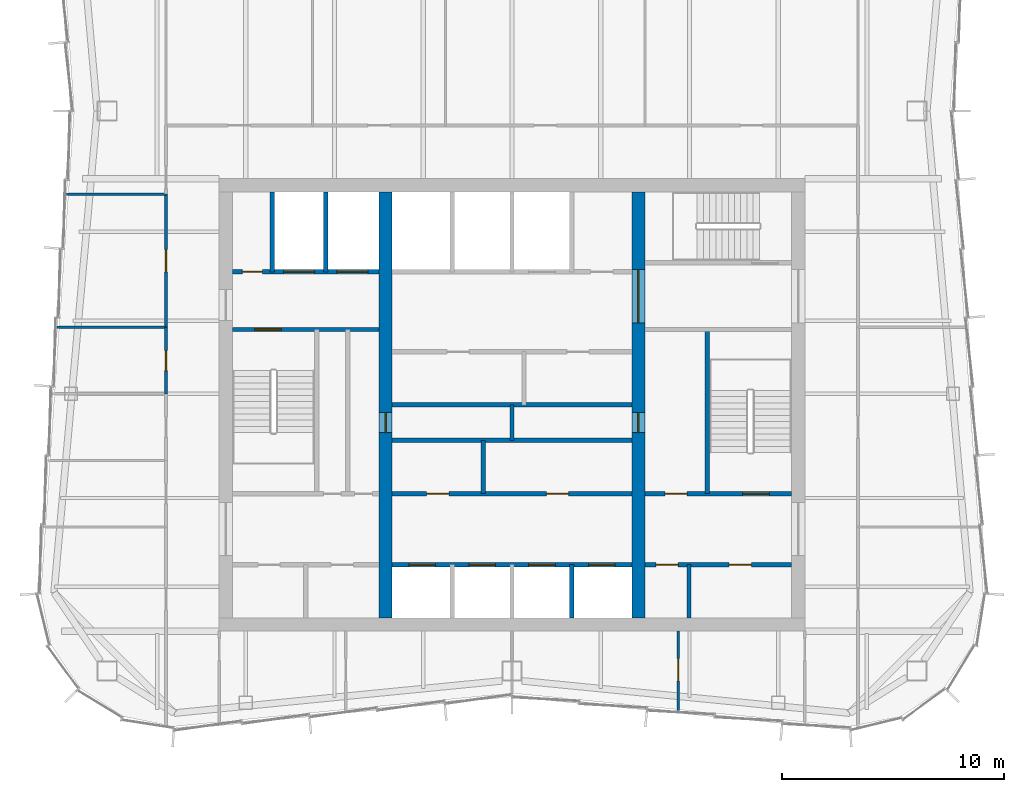
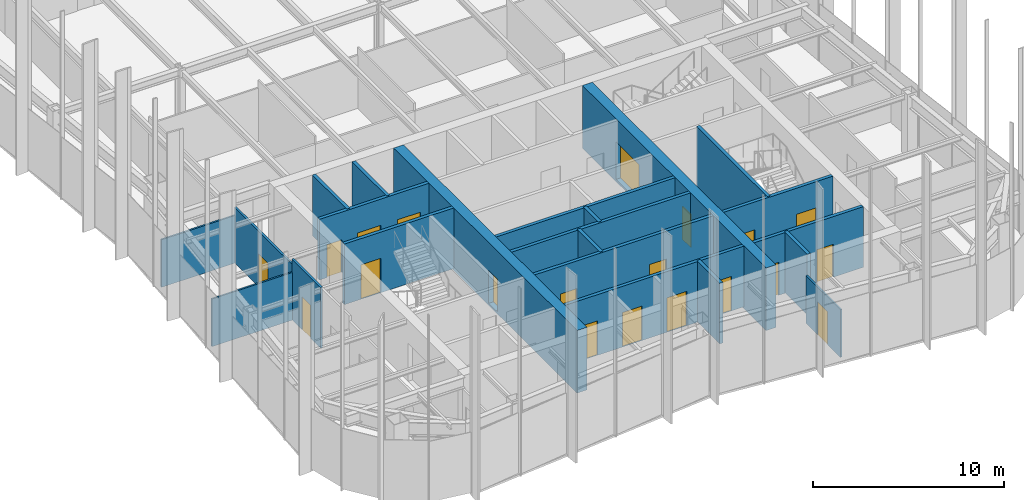
# One storey, part 10 of 13: 22 walls, 20 doors, 20 openings.
"""IFC4 building model written with IfcOpenShell, lengths in metres."""

from ifc_helpers import new_model, si_unit, direction, frame, frame_2d, origin, place, context, subcontext, project, spatial, rectangle, extrude, material, layer, layer_set, type_object, element, fill, save


model = new_model("IFC4")

# Units and contexts
model_context = context("Model", 3, precision=1e-05, world=origin(), true_north=direction((0.0, 1.0)))
body_context = subcontext(model_context, "Body", "Model", "MODEL_VIEW")
ifc_project = project(units=[si_unit("LENGTHUNIT", "METRE"), si_unit("AREAUNIT", "SQUARE_METRE"), si_unit("VOLUMEUNIT", "CUBIC_METRE"), si_unit("PLANEANGLEUNIT", "RADIAN"), si_unit("MASSUNIT", "GRAM", prefix="KILO")], contexts=[model_context])

# Site, building, storey
site_placement = place(None, origin())
site = spatial("IfcSite", under=ifc_project, at=site_placement, CompositionType="ELEMENT")
building_placement = place(site_placement, origin())
building = spatial("IfcBuilding", under=site, at=building_placement, Name="Verdant Reach Tower", CompositionType="ELEMENT")
storey_placement = place(building_placement, frame((0.0, 0.0, 318.0)))
storey = spatial("IfcBuildingStorey", under=building, at=storey_placement, Name="L73", CompositionType="ELEMENT", Elevation=318.0)

# Wall, openings, doors
ifc_material_1 = material(Name="Gypsum board on steel studs", Category="steel")
ifc_layer_1 = layer(ifc_material_1, 0.199951171875)
ifc_layer_set_1 = layer_set([ifc_layer_1], Name="CO-WALL-ROOM")
wall_type_1 = type_object("IfcWallType", Name="CO-WALL-ROOM", PredefinedType="PARTITIONING", material=ifc_layer_set_1)
wall_1_placement = place(storey_placement, frame((6.0, 20.800048828125, 0.0), z_axis=(0.0, 0.0, 1.0), x_axis=(1.0, 0.0, 0.0)))
wall_1 = element("IfcWall", 1, at=wall_1_placement, inside=storey, type_object=wall_type_1, Name="Core partition, L73", PredefinedType="PARTITIONING", context=body_context, shape_type="SweptSolid", body=[
    extrude(rectangle(XDim=6.60009765625, YDim=0.199951171875, at=frame_2d((3.300048828125, 0.0))), origin(), (0.0, 0.0, 1.0), 3.8701171875),
])
opening_1_placement = place(wall_1_placement, frame((0.489990234375, 0.0, 0.0)))
opening_1 = element("IfcOpeningElement", 2, at=opening_1_placement, cuts=wall_1, Name="Opening CD", PredefinedType="OPENING", context=body_context, shape_type="SweptSolid", body=[
    extrude(rectangle(XDim=1.0, YDim=2.10009765625, at=frame_2d((0.5, 1.050048828125))), frame((0.0, 0.10986328125, 0.0), z_axis=(0.0, -1.0, 0.0), x_axis=(1.0, 0.0, 0.0)), (0.0, 0.0, 1.0), 0.219970703125),
])
opening_2_placement = place(wall_1_placement, frame((3.7900390625, 0.0, 0.0)))
opening_2 = element("IfcOpeningElement", 3, at=opening_2_placement, cuts=wall_1, Name="Opening CD", PredefinedType="OPENING", context=body_context, shape_type="SweptSolid", body=[
    extrude(rectangle(XDim=1.0, YDim=2.10009765625, at=frame_2d((0.5, 1.050048828125))), frame((0.0, 0.10986328125, 0.0), z_axis=(0.0, -1.0, 0.0), x_axis=(1.0, 0.0, 0.0)), (0.0, 0.0, 1.0), 0.219970703125),
])
ifc_material_2 = material(Name="Timber", Category="wood")
door_type_1 = type_object("IfcDoorType", Name="CO-DOOR-ROOM", OperationType="NOTDEFINED", PredefinedType="DOOR", material=ifc_material_2)
door_1_placement = place(opening_1_placement, origin())
door_1 = element("IfcDoor", 4, at=door_1_placement, inside=storey, type_object=door_type_1, Name="Core room door, L73", OperationType="SINGLE_SWING_RIGHT", OverallHeight=2.10009765625, OverallWidth=1.0, PredefinedType="DOOR", context=body_context, shape_type="SweptSolid", body=[
    extrude(rectangle(XDim=1.0, YDim=2.10009765625, at=frame_2d((0.5, 1.050048828125))), frame((0.0, 0.02490234375, 0.0), z_axis=(0.0, -1.0, 0.0), x_axis=(1.0, 0.0, 0.0)), (0.0, 0.0, 1.0), 0.050048828125),
])
fill(opening_1, door_1)
door_2_placement = place(opening_2_placement, origin())
door_2 = element("IfcDoor", 5, at=door_2_placement, inside=storey, type_object=door_type_1, Name="Core room door, L73", OperationType="SINGLE_SWING_RIGHT", OverallHeight=2.10009765625, OverallWidth=1.0, PredefinedType="DOOR", context=body_context, shape_type="SweptSolid", body=[
    extrude(rectangle(XDim=1.0, YDim=2.10009765625, at=frame_2d((0.5, 1.050048828125))), frame((0.0, 0.02490234375, 0.0), z_axis=(0.0, -1.0, 0.0), x_axis=(1.0, 0.0, 0.0)), (0.0, 0.0, 1.0), 0.050048828125),
])
fill(opening_2, door_2)

wall_2_placement = place(storey_placement, frame((-5.39990234375, 24.0, 0.0), z_axis=(0.0, 0.0, 1.0), x_axis=(1.0, 0.0, 0.0)))
wall_2 = element("IfcWall", 6, at=wall_2_placement, inside=storey, type_object=wall_type_1, Name="Core partition, L73", PredefinedType="PARTITIONING", context=body_context, shape_type="SweptSolid", body=[
    extrude(rectangle(XDim=10.7998046875, YDim=0.199951171875, at=frame_2d((5.39990234375, 0.0))), origin(), (0.0, 0.0, 1.0), 3.8701171875),
])
opening_3_placement = place(wall_2_placement, frame((1.552001953125, 0.0, 0.0)))
opening_3 = element("IfcOpeningElement", 7, at=opening_3_placement, cuts=wall_2, Name="Opening CD", PredefinedType="OPENING", context=body_context, shape_type="SweptSolid", body=[
    extrude(rectangle(XDim=1.0, YDim=2.10009765625, at=frame_2d((0.5, 1.050048828125))), frame((0.0, 0.10986328125, 0.0), z_axis=(0.0, -1.0, 0.0), x_axis=(1.0, 0.0, 0.0)), (0.0, 0.0, 1.0), 0.219970703125),
])
opening_4_placement = place(wall_2_placement, frame((6.951904296875, 0.0, 0.0)))
opening_4 = element("IfcOpeningElement", 8, at=opening_4_placement, cuts=wall_2, Name="Opening CD", PredefinedType="OPENING", context=body_context, shape_type="SweptSolid", body=[
    extrude(rectangle(XDim=1.0, YDim=2.10009765625, at=frame_2d((0.5, 1.050048828125))), frame((0.0, 0.10986328125, 0.0), z_axis=(0.0, -1.0, 0.0), x_axis=(1.0, 0.0, 0.0)), (0.0, 0.0, 1.0), 0.219970703125),
])
door_3_placement = place(opening_3_placement, origin())
door_3 = element("IfcDoor", 9, at=door_3_placement, inside=storey, type_object=door_type_1, Name="Core room door, L73", OperationType="SINGLE_SWING_LEFT", OverallHeight=2.10009765625, OverallWidth=1.0, PredefinedType="DOOR", context=body_context, shape_type="SweptSolid", body=[
    extrude(rectangle(XDim=1.0, YDim=2.10009765625, at=frame_2d((0.5, 1.050048828125))), frame((0.0, 0.02490234375, 0.0), z_axis=(0.0, -1.0, 0.0), x_axis=(1.0, 0.0, 0.0)), (0.0, 0.0, 1.0), 0.050048828125),
])
fill(opening_3, door_3)
door_4_placement = place(opening_4_placement, origin())
door_4 = element("IfcDoor", 10, at=door_4_placement, inside=storey, type_object=door_type_1, Name="Core room door, L73", OperationType="SINGLE_SWING_RIGHT", OverallHeight=2.10009765625, OverallWidth=1.0, PredefinedType="DOOR", context=body_context, shape_type="SweptSolid", body=[
    extrude(rectangle(XDim=1.0, YDim=2.10009765625, at=frame_2d((0.5, 1.050048828125))), frame((0.0, 0.02490234375, 0.0), z_axis=(0.0, -1.0, 0.0), x_axis=(1.0, 0.0, 0.0)), (0.0, 0.0, 1.0), 0.050048828125),
])
fill(opening_4, door_4)

# Walls
for number, where, z_axis, x_axis, name in (
    (11, (-5.39990234375, 26.39990234375, 0.0), (0.0, 0.0, 1.0), (1.0, 0.0, 0.0), "Core partition, L73"),
    (12, (-5.39990234375, 28.0, 0.0), (0.0, 0.0, 1.0), (1.0, 0.0, 0.0), "Core partition, L73"),
):
    element("IfcWall", number, at=place(storey_placement, frame(where, z_axis=z_axis, x_axis=x_axis)), inside=storey, type_object=wall_type_1, Name=name, PredefinedType="PARTITIONING", context=body_context, shape_type="SweptSolid", body=[
        extrude(rectangle(XDim=10.7998046875, YDim=0.199951171875, at=frame_2d((5.39990234375, 0.0))), origin(), (0.0, 0.0, 1.0), 3.8701171875),
    ])
wall_3_placement = place(storey_placement, frame((-1.2958984375, 24.0, 0.0), z_axis=(0.0, 0.0, 1.0), x_axis=(0.0, 1.0, 0.0)))
element("IfcWall", 13, at=wall_3_placement, inside=storey, type_object=wall_type_1, Name="Core partition, L73", PredefinedType="PARTITIONING", context=body_context, shape_type="SweptSolid", body=[
    extrude(rectangle(XDim=2.39990234375, YDim=0.199951171875, at=frame_2d((1.199951171875, 0.0))), origin(), (0.0, 0.0, 1.0), 3.8701171875),
])
wall_4_placement = place(storey_placement, frame((0.0, 26.39990234375, 0.0), z_axis=(0.0, 0.0, 1.0), x_axis=(0.0, 1.0, 0.0)))
element("IfcWall", 14, at=wall_4_placement, inside=storey, type_object=wall_type_1, Name="Core partition, L73", PredefinedType="PARTITIONING", context=body_context, shape_type="SweptSolid", body=[
    extrude(rectangle(XDim=1.60009765625, YDim=0.199951171875, at=frame_2d((0.800048828125, 0.0))), origin(), (0.0, 0.0, 1.0), 3.8701171875),
])
wall_5_placement = place(storey_placement, frame((7.97998046875, 18.39990234375, 0.0), z_axis=(0.0, 0.0, 1.0), x_axis=(0.0, 1.0, 0.0)))
element("IfcWall", 15, at=wall_5_placement, inside=storey, type_object=wall_type_1, Name="Core partition, L73", PredefinedType="PARTITIONING", context=body_context, shape_type="SweptSolid", body=[
    extrude(rectangle(XDim=2.400146484375, YDim=0.199951171875, at=frame_2d((1.2001953125, 0.0))), origin(), (0.0, 0.0, 1.0), 3.8701171875),
])

# Wall, openings, doors
ifc_material_3 = material(Name="Concrete C40/50", Category="concrete")
ifc_layer_2 = layer(ifc_material_3, 0.199951171875)
ifc_layer_set_2 = layer_set([ifc_layer_2], Name="CO-WALL-SHAFT")
wall_type_2 = type_object("IfcWallType", Name="CO-WALL-SHAFT", PredefinedType="PARTITIONING", material=ifc_layer_set_2)
wall_6_placement = place(storey_placement, frame((-5.39990234375, 20.800048828125, 0.0), z_axis=(0.0, 0.0, 1.0), x_axis=(1.0, 0.0, 0.0)))
wall_6 = element("IfcWall", 16, at=wall_6_placement, inside=storey, type_object=wall_type_2, Name="Lift shaft wall, L73", PredefinedType="PARTITIONING", context=body_context, shape_type="SweptSolid", body=[
    extrude(rectangle(XDim=10.7998046875, YDim=0.199951171875, at=frame_2d((5.39990234375, 0.0))), origin(), (0.0, 0.0, 1.0), 3.8701171875),
])
opening_5_placement = place(wall_6_placement, frame((0.75, 0.0, 0.0)))
opening_5 = element("IfcOpeningElement", 17, at=opening_5_placement, cuts=wall_6, Name="Opening LD-B1", PredefinedType="OPENING", context=body_context, shape_type="SweptSolid", body=[
    extrude(rectangle(XDim=1.199951171875, YDim=2.199951171875, at=frame_2d((0.60009765625, 1.10009765625))), frame((0.0, 0.10986328125, 0.0), z_axis=(0.0, -1.0, 0.0), x_axis=(1.0, 0.0, 0.0)), (0.0, 0.0, 1.0), 0.219970703125),
])
opening_6_placement = place(wall_6_placement, frame((3.449951171875, 0.0, 0.0)))
opening_6 = element("IfcOpeningElement", 18, at=opening_6_placement, cuts=wall_6, Name="Opening LD-B2", PredefinedType="OPENING", context=body_context, shape_type="SweptSolid", body=[
    extrude(rectangle(XDim=1.199951171875, YDim=2.199951171875, at=frame_2d((0.60009765625, 1.10009765625))), frame((0.0, 0.10986328125, 0.0), z_axis=(0.0, -1.0, 0.0), x_axis=(1.0, 0.0, 0.0)), (0.0, 0.0, 1.0), 0.219970703125),
])
opening_7_placement = place(wall_6_placement, frame((6.14990234375, 0.0, 0.0)))
opening_7 = element("IfcOpeningElement", 19, at=opening_7_placement, cuts=wall_6, Name="Opening LD-B3", PredefinedType="OPENING", context=body_context, shape_type="SweptSolid", body=[
    extrude(rectangle(XDim=1.199951171875, YDim=2.199951171875, at=frame_2d((0.60009765625, 1.10009765625))), frame((0.0, 0.10986328125, 0.0), z_axis=(0.0, -1.0, 0.0), x_axis=(1.0, 0.0, 0.0)), (0.0, 0.0, 1.0), 0.219970703125),
])
opening_8_placement = place(wall_6_placement, frame((8.85009765625, 0.0, 0.0)))
opening_8 = element("IfcOpeningElement", 20, at=opening_8_placement, cuts=wall_6, Name="Opening LD-B4", PredefinedType="OPENING", context=body_context, shape_type="SweptSolid", body=[
    extrude(rectangle(XDim=1.199951171875, YDim=2.199951171875, at=frame_2d((0.60009765625, 1.10009765625))), frame((0.0, 0.10986328125, 0.0), z_axis=(0.0, -1.0, 0.0), x_axis=(1.0, 0.0, 0.0)), (0.0, 0.0, 1.0), 0.219970703125),
])
ifc_material_4 = material(Name="Stainless steel", Category="steel")
door_type_2 = type_object("IfcDoorType", Name="CO-DOOR-LANDING", OperationType="SLIDING_TO_LEFT", PredefinedType="DOOR", material=ifc_material_4)
door_5_placement = place(opening_5_placement, origin())
door_5 = element("IfcDoor", 21, at=door_5_placement, inside=storey, type_object=door_type_2, Name="Landing door B1, L73", OperationType="SLIDING_TO_LEFT", OverallHeight=2.199951171875, OverallWidth=1.199951171875, PredefinedType="DOOR", context=body_context, shape_type="SweptSolid", body=[
    extrude(rectangle(XDim=1.199951171875, YDim=2.199951171875, at=frame_2d((0.60009765625, 1.10009765625))), frame((0.0, 0.02490234375, 0.0), z_axis=(0.0, -1.0, 0.0), x_axis=(1.0, 0.0, 0.0)), (0.0, 0.0, 1.0), 0.050048828125),
])
fill(opening_5, door_5)
door_6_placement = place(opening_6_placement, origin())
door_6 = element("IfcDoor", 22, at=door_6_placement, inside=storey, type_object=door_type_2, Name="Landing door B2, L73", OperationType="SLIDING_TO_LEFT", OverallHeight=2.199951171875, OverallWidth=1.199951171875, PredefinedType="DOOR", context=body_context, shape_type="SweptSolid", body=[
    extrude(rectangle(XDim=1.199951171875, YDim=2.199951171875, at=frame_2d((0.60009765625, 1.10009765625))), frame((0.0, 0.02490234375, 0.0), z_axis=(0.0, -1.0, 0.0), x_axis=(1.0, 0.0, 0.0)), (0.0, 0.0, 1.0), 0.050048828125),
])
fill(opening_6, door_6)
door_7_placement = place(opening_7_placement, origin())
door_7 = element("IfcDoor", 23, at=door_7_placement, inside=storey, type_object=door_type_2, Name="Landing door B3, L73", OperationType="SLIDING_TO_LEFT", OverallHeight=2.199951171875, OverallWidth=1.199951171875, PredefinedType="DOOR", context=body_context, shape_type="SweptSolid", body=[
    extrude(rectangle(XDim=1.199951171875, YDim=2.199951171875, at=frame_2d((0.60009765625, 1.10009765625))), frame((0.0, 0.02490234375, 0.0), z_axis=(0.0, -1.0, 0.0), x_axis=(1.0, 0.0, 0.0)), (0.0, 0.0, 1.0), 0.050048828125),
])
fill(opening_7, door_7)
door_8_placement = place(opening_8_placement, origin())
door_8 = element("IfcDoor", 24, at=door_8_placement, inside=storey, type_object=door_type_2, Name="Landing door B4, L73", OperationType="SLIDING_TO_LEFT", OverallHeight=2.199951171875, OverallWidth=1.199951171875, PredefinedType="DOOR", context=body_context, shape_type="SweptSolid", body=[
    extrude(rectangle(XDim=1.199951171875, YDim=2.199951171875, at=frame_2d((0.60009765625, 1.10009765625))), frame((0.0, 0.02490234375, 0.0), z_axis=(0.0, -1.0, 0.0), x_axis=(1.0, 0.0, 0.0)), (0.0, 0.0, 1.0), 0.050048828125),
])
fill(opening_8, door_8)

wall_7_placement = place(storey_placement, frame((-12.60009765625, 34.0, 0.0), z_axis=(0.0, 0.0, 1.0), x_axis=(1.0, 0.0, 0.0)))
wall_7 = element("IfcWall", 25, at=wall_7_placement, inside=storey, type_object=wall_type_2, Name="Lift shaft wall, L73", PredefinedType="PARTITIONING", context=body_context, shape_type="SweptSolid", body=[
    extrude(rectangle(XDim=6.60009765625, YDim=0.199951171875, at=frame_2d((3.300048828125, 0.0))), origin(), (0.0, 0.0, 1.0), 3.8701171875),
])
opening_9_placement = place(wall_7_placement, frame((4.699951171875, 0.0, 0.0)))
opening_9 = element("IfcOpeningElement", 26, at=opening_9_placement, cuts=wall_7, Name="Opening LD-F1", PredefinedType="OPENING", context=body_context, shape_type="SweptSolid", body=[
    extrude(rectangle(XDim=1.39990234375, YDim=2.199951171875, at=frame_2d((0.699951171875, 1.10009765625))), frame((0.0, 0.10986328125, 0.0), z_axis=(0.0, -1.0, 0.0), x_axis=(1.0, 0.0, 0.0)), (0.0, 0.0, 1.0), 0.219970703125),
])
opening_10_placement = place(wall_7_placement, frame((2.300048828125, 0.0, 0.0)))
opening_10 = element("IfcOpeningElement", 27, at=opening_10_placement, cuts=wall_7, Name="Opening LD-F2", PredefinedType="OPENING", context=body_context, shape_type="SweptSolid", body=[
    extrude(rectangle(XDim=1.39990234375, YDim=2.199951171875, at=frame_2d((0.699951171875, 1.10009765625))), frame((0.0, 0.10986328125, 0.0), z_axis=(0.0, -1.0, 0.0), x_axis=(1.0, 0.0, 0.0)), (0.0, 0.0, 1.0), 0.219970703125),
])
opening_11_placement = place(wall_7_placement, frame((0.449951171875, 0.0, 0.0)))
opening_11 = element("IfcOpeningElement", 28, at=opening_11_placement, cuts=wall_7, Name="Opening RD", PredefinedType="OPENING", context=body_context, shape_type="SweptSolid", body=[
    extrude(rectangle(XDim=0.89990234375, YDim=2.10009765625, at=frame_2d((0.449951171875, 1.050048828125))), frame((0.0, 0.10986328125, 0.0), z_axis=(0.0, -1.0, 0.0), x_axis=(1.0, 0.0, 0.0)), (0.0, 0.0, 1.0), 0.219970703125),
])
door_type_3 = type_object("IfcDoorType", Name="CO-DOOR-LANDING-FF", OperationType="SLIDING_TO_LEFT", PredefinedType="DOOR", material=ifc_material_4)
door_9_placement = place(opening_9_placement, origin())
door_9 = element("IfcDoor", 29, at=door_9_placement, inside=storey, type_object=door_type_3, Name="Landing door F1, L73", OperationType="SLIDING_TO_LEFT", OverallHeight=2.199951171875, OverallWidth=1.39990234375, PredefinedType="DOOR", context=body_context, shape_type="SweptSolid", body=[
    extrude(rectangle(XDim=1.39990234375, YDim=2.199951171875, at=frame_2d((0.699951171875, 1.10009765625))), frame((0.0, 0.02490234375, 0.0), z_axis=(0.0, -1.0, 0.0), x_axis=(1.0, 0.0, 0.0)), (0.0, 0.0, 1.0), 0.050048828125),
])
fill(opening_9, door_9)
door_10_placement = place(opening_10_placement, origin())
door_10 = element("IfcDoor", 30, at=door_10_placement, inside=storey, type_object=door_type_3, Name="Landing door F2, L73", OperationType="SLIDING_TO_LEFT", OverallHeight=2.199951171875, OverallWidth=1.39990234375, PredefinedType="DOOR", context=body_context, shape_type="SweptSolid", body=[
    extrude(rectangle(XDim=1.39990234375, YDim=2.199951171875, at=frame_2d((0.699951171875, 1.10009765625))), frame((0.0, 0.02490234375, 0.0), z_axis=(0.0, -1.0, 0.0), x_axis=(1.0, 0.0, 0.0)), (0.0, 0.0, 1.0), 0.050048828125),
])
fill(opening_10, door_10)
ifc_material_5 = material(Name="Steel", Category="steel")
door_type_4 = type_object("IfcDoorType", Name="CO-DOOR-RISER", OperationType="NOTDEFINED", PredefinedType="DOOR", material=ifc_material_5)
door_11_placement = place(opening_11_placement, origin())
door_11 = element("IfcDoor", 31, at=door_11_placement, inside=storey, type_object=door_type_4, Name="Core room door, L73", OperationType="SINGLE_SWING_RIGHT", OverallHeight=2.10009765625, OverallWidth=0.89990234375, PredefinedType="DOOR", context=body_context, shape_type="SweptSolid", body=[
    extrude(rectangle(XDim=0.89990234375, YDim=2.10009765625, at=frame_2d((0.449951171875, 1.050048828125))), frame((0.0, 0.02490234375, 0.0), z_axis=(0.0, -1.0, 0.0), x_axis=(1.0, 0.0, 0.0)), (0.0, 0.0, 1.0), 0.050048828125),
])
fill(opening_11, door_11)

# Walls
for number, where, z_axis, x_axis, name in (
    (32, (-10.800048828125, 34.0, 0.0), (0.0, 0.0, 1.0), (0.0, 1.0, 0.0), "Lift shaft wall, L73"),
    (33, (-8.39990234375, 34.0, 0.0), (0.0, 0.0, 1.0), (0.0, 1.0, 0.0), "Lift shaft wall, L73"),
):
    element("IfcWall", number, at=place(storey_placement, frame(where, z_axis=z_axis, x_axis=x_axis)), inside=storey, type_object=wall_type_2, Name=name, PredefinedType="PARTITIONING", context=body_context, shape_type="SweptSolid", body=[
        extrude(rectangle(XDim=3.60009765625, YDim=0.199951171875, at=frame_2d((1.800048828125, 0.0))), origin(), (0.0, 0.0, 1.0), 3.8701171875),
    ])
wall_8_placement = place(storey_placement, frame((2.699951171875, 18.39990234375, 0.0), z_axis=(0.0, 0.0, 1.0), x_axis=(0.0, 1.0, 0.0)))
element("IfcWall", 34, at=wall_8_placement, inside=storey, type_object=wall_type_2, Name="Lift shaft wall, L73", PredefinedType="PARTITIONING", context=body_context, shape_type="SweptSolid", body=[
    extrude(rectangle(XDim=2.400146484375, YDim=0.199951171875, at=frame_2d((1.2001953125, 0.0))), origin(), (0.0, 0.0, 1.0), 3.8701171875),
])

# Wall, openings, doors
ifc_layer_3 = layer(ifc_material_3, 0.199951171875)
ifc_layer_set_3 = layer_set([ifc_layer_3], Name="CO-WALL-STAIR")
wall_type_3 = type_object("IfcWallType", Name="CO-WALL-STAIR", PredefinedType="PARTITIONING", material=ifc_layer_set_3)
wall_9_placement = place(storey_placement, frame((6.0, 24.0, 0.0), z_axis=(0.0, 0.0, 1.0), x_axis=(1.0, 0.0, 0.0)))
wall_9 = element("IfcWall", 35, at=wall_9_placement, inside=storey, type_object=wall_type_3, Name="Stair enclosure wall, L73", PredefinedType="PARTITIONING", context=body_context, shape_type="SweptSolid", body=[
    extrude(rectangle(XDim=6.60009765625, YDim=0.199951171875, at=frame_2d((3.300048828125, 0.0))), origin(), (0.0, 0.0, 1.0), 3.8701171875),
])
opening_12_placement = place(wall_9_placement, frame((0.89990234375, 0.0, 0.0)))
opening_12 = element("IfcOpeningElement", 36, at=opening_12_placement, cuts=wall_9, Name="Opening CD", PredefinedType="OPENING", context=body_context, shape_type="SweptSolid", body=[
    extrude(rectangle(XDim=1.0, YDim=2.10009765625, at=frame_2d((0.5, 1.050048828125))), frame((0.0, 0.10986328125, 0.0), z_axis=(0.0, -1.0, 0.0), x_axis=(1.0, 0.0, 0.0)), (0.0, 0.0, 1.0), 0.219970703125),
])
opening_13_placement = place(wall_9_placement, frame((4.39990234375, 0.0, 0.0)))
opening_13 = element("IfcOpeningElement", 37, at=opening_13_placement, cuts=wall_9, Name="Opening SD", PredefinedType="OPENING", context=body_context, shape_type="SweptSolid", body=[
    extrude(rectangle(XDim=1.199951171875, YDim=2.199951171875, at=frame_2d((0.60009765625, 1.10009765625))), frame((0.0, 0.10986328125, 0.0), z_axis=(0.0, -1.0, 0.0), x_axis=(1.0, 0.0, 0.0)), (0.0, 0.0, 1.0), 0.219970703125),
])
door_12_placement = place(opening_12_placement, origin())
door_12 = element("IfcDoor", 38, at=door_12_placement, inside=storey, type_object=door_type_1, Name="Core room door, L73", OperationType="SINGLE_SWING_RIGHT", OverallHeight=2.10009765625, OverallWidth=1.0, PredefinedType="DOOR", context=body_context, shape_type="SweptSolid", body=[
    extrude(rectangle(XDim=1.0, YDim=2.10009765625, at=frame_2d((0.5, 1.050048828125))), frame((0.0, 0.02490234375, 0.0), z_axis=(0.0, -1.0, 0.0), x_axis=(1.0, 0.0, 0.0)), (0.0, 0.0, 1.0), 0.050048828125),
])
fill(opening_12, door_12)
door_type_5 = type_object("IfcDoorType", Name="CO-DOOR-STAIR", OperationType="NOTDEFINED", PredefinedType="DOOR", material=ifc_material_5)
door_13_placement = place(opening_13_placement, origin())
door_13 = element("IfcDoor", 39, at=door_13_placement, inside=storey, type_object=door_type_5, Name="Stair door, L73", OperationType="SINGLE_SWING_LEFT", OverallHeight=2.199951171875, OverallWidth=1.199951171875, PredefinedType="DOOR", context=body_context, shape_type="SweptSolid", body=[
    extrude(rectangle(XDim=1.199951171875, YDim=2.199951171875, at=frame_2d((0.60009765625, 1.10009765625))), frame((0.0, 0.02490234375, 0.0), z_axis=(0.0, -1.0, 0.0), x_axis=(1.0, 0.0, 0.0)), (0.0, 0.0, 1.0), 0.050048828125),
])
fill(opening_13, door_13)

# Wall, opening, door
wall_10_placement = place(storey_placement, frame((-12.60009765625, 31.39990234375, 0.0), z_axis=(0.0, 0.0, 1.0), x_axis=(1.0, 0.0, 0.0)))
wall_10 = element("IfcWall", 40, at=wall_10_placement, inside=storey, type_object=wall_type_3, Name="Stair enclosure wall, L73", PredefinedType="PARTITIONING", context=body_context, shape_type="SweptSolid", body=[
    extrude(rectangle(XDim=6.60009765625, YDim=0.199951171875, at=frame_2d((3.300048828125, 0.0))), origin(), (0.0, 0.0, 1.0), 3.8701171875),
])
opening_14_placement = place(wall_10_placement, frame((1.0, 0.0, 0.0)))
opening_14 = element("IfcOpeningElement", 41, at=opening_14_placement, cuts=wall_10, Name="Opening SD", PredefinedType="OPENING", context=body_context, shape_type="SweptSolid", body=[
    extrude(rectangle(XDim=1.199951171875, YDim=2.199951171875, at=frame_2d((0.60009765625, 1.10009765625))), frame((0.0, 0.10986328125, 0.0), z_axis=(0.0, -1.0, 0.0), x_axis=(1.0, 0.0, 0.0)), (0.0, 0.0, 1.0), 0.219970703125),
])
door_14_placement = place(opening_14_placement, origin())
door_14 = element("IfcDoor", 42, at=door_14_placement, inside=storey, type_object=door_type_5, Name="Stair door, L73", OperationType="SINGLE_SWING_RIGHT", OverallHeight=2.199951171875, OverallWidth=1.199951171875, PredefinedType="DOOR", context=body_context, shape_type="SweptSolid", body=[
    extrude(rectangle(XDim=1.199951171875, YDim=2.199951171875, at=frame_2d((0.60009765625, 1.10009765625))), frame((0.0, 0.02490234375, 0.0), z_axis=(0.0, -1.0, 0.0), x_axis=(1.0, 0.0, 0.0)), (0.0, 0.0, 1.0), 0.050048828125),
])
fill(opening_14, door_14)

# Walls
wall_11_placement = place(storey_placement, frame((8.800048828125, 24.0, 0.0), z_axis=(0.0, 0.0, 1.0), x_axis=(0.0, 1.0, 0.0)))
element("IfcWall", 43, at=wall_11_placement, inside=storey, type_object=wall_type_3, Name="Stair enclosure wall, L73", PredefinedType="PARTITIONING", context=body_context, shape_type="SweptSolid", body=[
    extrude(rectangle(XDim=7.39990234375, YDim=0.199951171875, at=frame_2d((3.699951171875, 0.0))), origin(), (0.0, 0.0, 1.0), 3.8701171875),
])
ifc_layer_4 = layer(ifc_material_1, 0.10009765625)
ifc_layer_set_4 = layer_set([ifc_layer_4], Name="FL-W1 Partition 100")
wall_type_4 = type_object("IfcWallType", Name="FL-W1 Partition 100", PredefinedType="PARTITIONING", material=ifc_layer_set_4)
wall_12_placement = place(storey_placement, frame((-15.60009765625, 31.5, 0.0), z_axis=(0.0, 0.0, 1.0), x_axis=(-1.0, 0.0, 0.0)))
element("IfcWall", 44, at=wall_12_placement, inside=storey, type_object=wall_type_4, Name="Partition 73.19", PredefinedType="PARTITIONING", context=body_context, shape_type="SweptSolid", body=[
    extrude(rectangle(XDim=4.90234375, YDim=0.10009765625, at=frame_2d((2.451171875, 0.0))), origin(), (0.0, 0.0, 1.0), 3.0400390625),
])
wall_13_placement = place(storey_placement, frame((-15.60009765625, 37.5, 0.0), z_axis=(0.0, 0.0, 1.0), x_axis=(-1.0, 0.0, 0.0)))
element("IfcWall", 45, at=wall_13_placement, inside=storey, type_object=wall_type_4, Name="Partition 73.20", PredefinedType="PARTITIONING", context=body_context, shape_type="SweptSolid", body=[
    extrude(rectangle(XDim=4.488525390625, YDim=0.10009765625, at=frame_2d((2.244140625, 0.0))), origin(), (0.0, 0.0, 1.0), 3.0400390625),
])

# Wall, opening, door
wall_14_placement = place(storey_placement, frame((7.5, 14.182373046875, 0.0), z_axis=(0.0, 0.0, 1.0), x_axis=(0.0, 1.0, 0.0)))
wall_14 = element("IfcWall", 46, at=wall_14_placement, inside=storey, type_object=wall_type_4, Name="Partition 73.31", PredefinedType="PARTITIONING", context=body_context, shape_type="SweptSolid", body=[
    extrude(rectangle(XDim=3.61767578125, YDim=0.10009765625, at=frame_2d((1.808837890625, 0.0))), origin(), (0.0, 0.0, 1.0), 3.0400390625),
])
opening_15_placement = place(wall_14_placement, frame((1.3740234375, 0.0, 0.0)))
opening_15 = element("IfcOpeningElement", 47, at=opening_15_placement, cuts=wall_14, Name="Opening D3", PredefinedType="OPENING", context=body_context, shape_type="SweptSolid", body=[
    extrude(rectangle(XDim=1.0, YDim=2.10009765625, at=frame_2d((0.5, 1.050048828125))), frame((0.0, 0.06005859375, 0.0), z_axis=(0.0, -1.0, 0.0), x_axis=(1.0, 0.0, 0.0)), (0.0, 0.0, 1.0), 0.1201171875),
])
ifc_material_6 = material(Name="Painted timber door leaf", Category="wood")
door_type_6 = type_object("IfcDoorType", Name="FL-D3 Door 1000x2100", OperationType="NOTDEFINED", PredefinedType="DOOR", material=ifc_material_6)
door_15_placement = place(opening_15_placement, origin())
door_15 = element("IfcDoor", 48, at=door_15_placement, inside=storey, type_object=door_type_6, Name="Door 73-017", OperationType="SINGLE_SWING_RIGHT", OverallHeight=2.10009765625, OverallWidth=1.0, PredefinedType="DOOR", context=body_context, shape_type="SweptSolid", body=[
    extrude(rectangle(XDim=1.0, YDim=2.10009765625, at=frame_2d((0.5, 1.050048828125))), frame((0.0, 0.02490234375, 0.0), z_axis=(0.0, -1.0, 0.0), x_axis=(1.0, 0.0, 0.0)), (0.0, 0.0, 1.0), 0.050048828125),
])
fill(opening_15, door_15)

ifc_material_7 = material(Name="Gypsum board on steel studs, fire rated", Category="steel")
ifc_layer_5 = layer(ifc_material_7, 0.125)
ifc_layer_set_5 = layer_set([ifc_layer_5], Name="FL-W2 Corridor wall 125")
wall_type_5 = type_object("IfcWallType", Name="FL-W2 Corridor wall 125", PredefinedType="PARTITIONING", material=ifc_layer_set_5)
wall_15_placement = place(storey_placement, frame((-15.60009765625, 28.5, 0.0), z_axis=(0.0, 0.0, 1.0), x_axis=(0.0, 1.0, 0.0)))
wall_15 = element("IfcWall", 49, at=wall_15_placement, inside=storey, type_object=wall_type_5, Name="Partition 73.04", PredefinedType="PARTITIONING", context=body_context, shape_type="SweptSolid", body=[
    extrude(rectangle(XDim=3.0, YDim=0.125, at=frame_2d((1.5, 0.0))), origin(), (0.0, 0.0, 1.0), 3.8701171875),
])
opening_16_placement = place(wall_15_placement, frame((1.050048828125, 0.0, 0.0)))
opening_16 = element("IfcOpeningElement", 50, at=opening_16_placement, cuts=wall_15, Name="Opening D1", PredefinedType="OPENING", context=body_context, shape_type="SweptSolid", body=[
    extrude(rectangle(XDim=0.89990234375, YDim=2.10009765625, at=frame_2d((0.449951171875, 1.050048828125))), frame((0.0, 0.072509765625, 0.0), z_axis=(0.0, -1.0, 0.0), x_axis=(1.0, 0.0, 0.0)), (0.0, 0.0, 1.0), 0.14501953125),
])
door_type_7 = type_object("IfcDoorType", Name="FL-D1 Door 900x2100", OperationType="NOTDEFINED", PredefinedType="DOOR", material=ifc_material_6)
door_16_placement = place(opening_16_placement, origin())
door_16 = element("IfcDoor", 51, at=door_16_placement, inside=storey, type_object=door_type_7, Name="Door 73-004", OperationType="SINGLE_SWING_RIGHT", OverallHeight=2.10009765625, OverallWidth=0.89990234375, PredefinedType="DOOR", context=body_context, shape_type="SweptSolid", body=[
    extrude(rectangle(XDim=0.89990234375, YDim=2.10009765625, at=frame_2d((0.449951171875, 1.050048828125))), frame((0.0, 0.02490234375, 0.0), z_axis=(0.0, -1.0, 0.0), x_axis=(1.0, 0.0, 0.0)), (0.0, 0.0, 1.0), 0.050048828125),
])
fill(opening_16, door_16)

wall_16_placement = place(storey_placement, frame((-15.60009765625, 31.5, 0.0), z_axis=(0.0, 0.0, 1.0), x_axis=(0.0, 1.0, 0.0)))
wall_16 = element("IfcWall", 52, at=wall_16_placement, inside=storey, type_object=wall_type_5, Name="Partition 73.05", PredefinedType="PARTITIONING", context=body_context, shape_type="SweptSolid", body=[
    extrude(rectangle(XDim=6.0, YDim=0.125, at=frame_2d((3.0, 0.0))), origin(), (0.0, 0.0, 1.0), 3.5400390625),
])
opening_17_placement = place(wall_16_placement, frame((2.5, 0.0, 0.0)))
opening_17 = element("IfcOpeningElement", 53, at=opening_17_placement, cuts=wall_16, Name="Opening D2", PredefinedType="OPENING", context=body_context, shape_type="SweptSolid", body=[
    extrude(rectangle(XDim=1.0, YDim=2.10009765625, at=frame_2d((0.5, 1.050048828125))), frame((0.0, 0.072509765625, 0.0), z_axis=(0.0, -1.0, 0.0), x_axis=(1.0, 0.0, 0.0)), (0.0, 0.0, 1.0), 0.14501953125),
])
ifc_material_8 = material(Name="Timber door leaf, fire rated", Category="wood")
door_type_8 = type_object("IfcDoorType", Name="FL-D2 Entrance door 1000x2100 FD30", OperationType="NOTDEFINED", PredefinedType="DOOR", material=ifc_material_8)
door_17_placement = place(opening_17_placement, origin())
door_17 = element("IfcDoor", 54, at=door_17_placement, inside=storey, type_object=door_type_8, Name="Door 73-005", OperationType="SINGLE_SWING_LEFT", OverallHeight=2.10009765625, OverallWidth=1.0, PredefinedType="DOOR", context=body_context, shape_type="SweptSolid", body=[
    extrude(rectangle(XDim=1.0, YDim=2.10009765625, at=frame_2d((0.5, 1.050048828125))), frame((0.0, 0.02490234375, 0.0), z_axis=(0.0, -1.0, 0.0), x_axis=(1.0, 0.0, 0.0)), (0.0, 0.0, 1.0), 0.050048828125),
])
fill(opening_17, door_17)

ifc_material_9 = material(Name="Concrete C70/85", Category="concrete")
ifc_layer_6 = layer(ifc_material_9, 0.60009765625)
ifc_layer_set_6 = layer_set([ifc_layer_6], Name="ST-CORE-WALL-600")
wall_type_6 = type_object("IfcWallType", Name="ST-CORE-WALL-600", PredefinedType="SHEAR", material=ifc_layer_set_6)
wall_17_placement = place(storey_placement, frame((-5.699951171875, 18.39990234375, -0.1298828125), z_axis=(0.0, 0.0, 1.0), x_axis=(0.0, 1.0, 0.0)))
wall_17 = element("IfcWall", 55, at=wall_17_placement, inside=storey, type_object=wall_type_6, Name="Core wall XW, L73", PredefinedType="SHEAR", context=body_context, shape_type="SweptSolid", body=[
    extrude(rectangle(XDim=19.2001953125, YDim=0.60009765625, at=frame_2d((9.60009765625, 0.0))), origin(), (0.0, 0.0, 1.0), 4.0),
])
opening_18_placement = place(wall_17_placement, frame((8.35009765625, 0.0, 0.1298828125)))
opening_18 = element("IfcOpeningElement", 56, at=opening_18_placement, cuts=wall_17, Name="Opening RD", PredefinedType="OPENING", context=body_context, shape_type="SweptSolid", body=[
    extrude(rectangle(XDim=0.89990234375, YDim=2.10009765625, at=frame_2d((0.449951171875, 1.050048828125))), frame((0.0, 0.31005859375, 0.0), z_axis=(0.0, -1.0, 0.0), x_axis=(1.0, 0.0, 0.0)), (0.0, 0.0, 1.0), 0.6201171875),
])
door_18_placement = place(opening_18_placement, origin())
door_18 = element("IfcDoor", 57, at=door_18_placement, inside=storey, type_object=door_type_4, Name="Riser door, L73", OperationType="SINGLE_SWING_LEFT", OverallHeight=2.10009765625, OverallWidth=0.89990234375, PredefinedType="DOOR", context=body_context, shape_type="SweptSolid", body=[
    extrude(rectangle(XDim=0.89990234375, YDim=2.10009765625, at=frame_2d((0.449951171875, 1.050048828125))), frame((0.0, 0.02490234375, 0.0), z_axis=(0.0, -1.0, 0.0), x_axis=(1.0, 0.0, 0.0)), (0.0, 0.0, 1.0), 0.050048828125),
])
fill(opening_18, door_18)

# Wall, openings, doors
wall_18_placement = place(storey_placement, frame((5.699951171875, 18.39990234375, -0.1298828125), z_axis=(0.0, 0.0, 1.0), x_axis=(0.0, 1.0, 0.0)))
wall_18 = element("IfcWall", 58, at=wall_18_placement, inside=storey, type_object=wall_type_6, Name="Core wall XE, L73", PredefinedType="SHEAR", context=body_context, shape_type="SweptSolid", body=[
    extrude(rectangle(XDim=19.2001953125, YDim=0.60009765625, at=frame_2d((9.60009765625, 0.0))), origin(), (0.0, 0.0, 1.0), 4.0),
])
opening_19_placement = place(wall_18_placement, frame((8.35009765625, 0.0, 0.1298828125)))
opening_19 = element("IfcOpeningElement", 59, at=opening_19_placement, cuts=wall_18, Name="Opening RD", PredefinedType="OPENING", context=body_context, shape_type="SweptSolid", body=[
    extrude(rectangle(XDim=0.89990234375, YDim=2.10009765625, at=frame_2d((0.449951171875, 1.050048828125))), frame((0.0, 0.31005859375, 0.0), z_axis=(0.0, -1.0, 0.0), x_axis=(1.0, 0.0, 0.0)), (0.0, 0.0, 1.0), 0.6201171875),
])
opening_20_placement = place(wall_18_placement, frame((13.300048828125, 0.0, 0.1298828125)))
opening_20 = element("IfcOpeningElement", 60, at=opening_20_placement, cuts=wall_18, Name="Opening LB", PredefinedType="OPENING", context=body_context, shape_type="SweptSolid", body=[
    extrude(rectangle(XDim=2.39990234375, YDim=2.39990234375, at=frame_2d((1.199951171875, 1.199951171875))), frame((0.0, 0.31005859375, 0.0), z_axis=(0.0, -1.0, 0.0), x_axis=(1.0, 0.0, 0.0)), (0.0, 0.0, 1.0), 0.6201171875),
])
ifc_material_10 = material(Name="Glass and steel", Category="steel")
door_type_9 = type_object("IfcDoorType", Name="CO-DOOR-LOBBY", OperationType="DOUBLE_DOOR_SINGLE_SWING", PredefinedType="DOOR", material=ifc_material_10)
door_19_placement = place(opening_20_placement, origin())
door_19 = element("IfcDoor", 61, at=door_19_placement, inside=storey, type_object=door_type_9, Name="Core entrance door, L73", OperationType="DOUBLE_DOOR_SINGLE_SWING", OverallHeight=2.39990234375, OverallWidth=2.39990234375, PredefinedType="DOOR", context=body_context, shape_type="SweptSolid", body=[
    extrude(rectangle(XDim=2.39990234375, YDim=2.39990234375, at=frame_2d((1.199951171875, 1.199951171875))), frame((0.0, 0.02490234375, 0.0), z_axis=(0.0, -1.0, 0.0), x_axis=(1.0, 0.0, 0.0)), (0.0, 0.0, 1.0), 0.050048828125),
])
fill(opening_20, door_19)
door_20_placement = place(opening_19_placement, origin())
door_20 = element("IfcDoor", 62, at=door_20_placement, inside=storey, type_object=door_type_4, Name="Riser door, L73", OperationType="SINGLE_SWING_RIGHT", OverallHeight=2.10009765625, OverallWidth=0.89990234375, PredefinedType="DOOR", context=body_context, shape_type="SweptSolid", body=[
    extrude(rectangle(XDim=0.89990234375, YDim=2.10009765625, at=frame_2d((0.449951171875, 1.050048828125))), frame((0.0, 0.02490234375, 0.0), z_axis=(0.0, -1.0, 0.0), x_axis=(1.0, 0.0, 0.0)), (0.0, 0.0, 1.0), 0.050048828125),
])
fill(opening_19, door_20)

save(model, "model.ifc")
